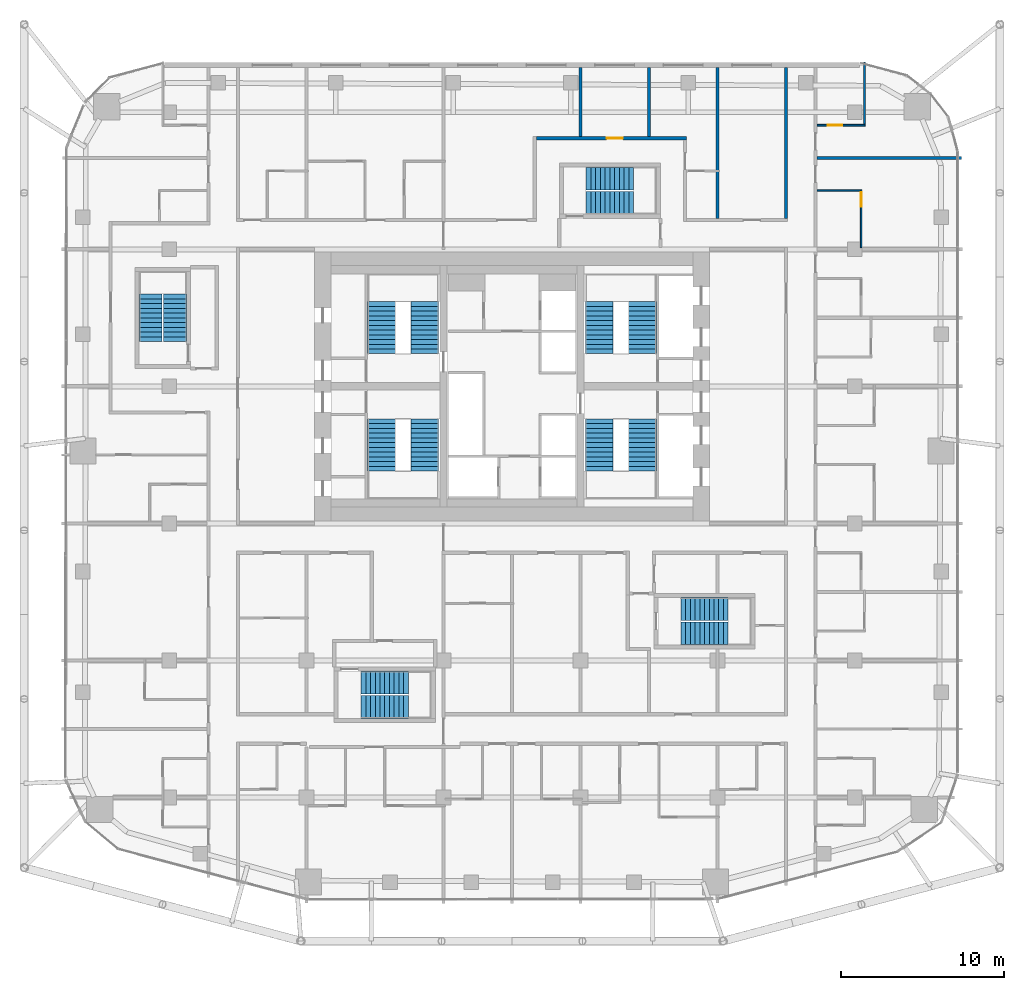
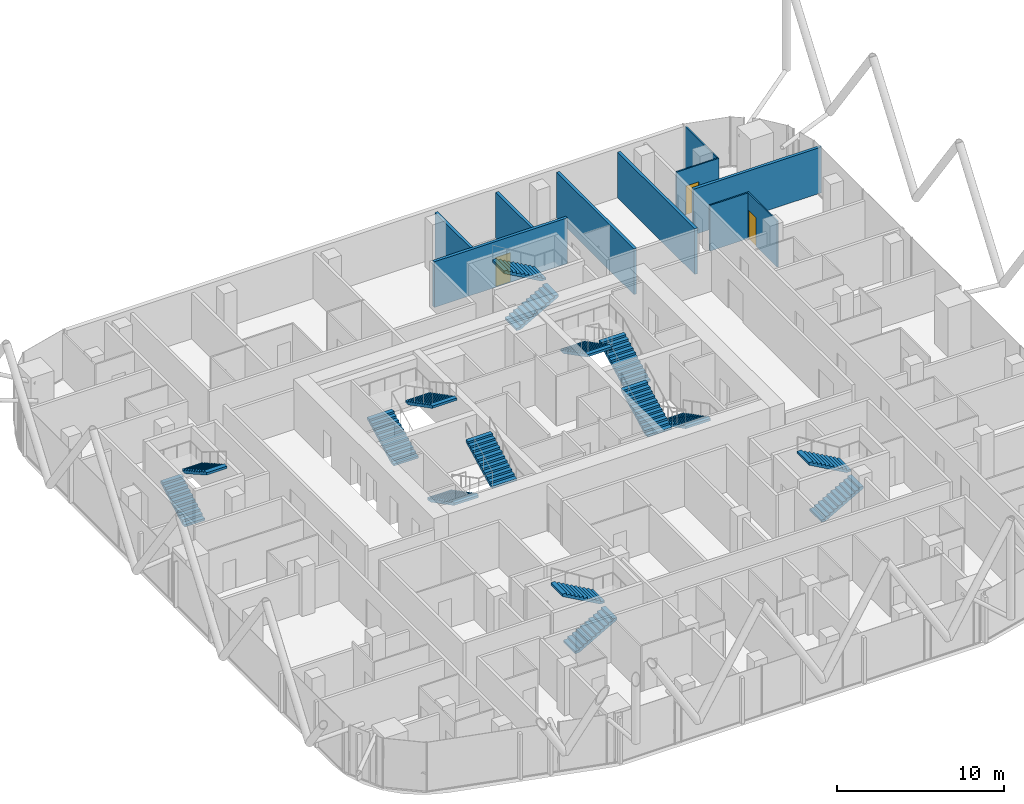
# One storey, part 34 of 36: 16 stair flights, 10 walls, 3 doors, 3 openings, 8 elements without a shape of their own.
"""IFC4 building model written with IfcOpenShell, lengths in metres."""

from ifc_helpers import new_model, si_unit, direction, frame, frame_2d, origin, place, context, subcontext, project, spatial, polyline, rectangle, outline, extrude, material, layer, layer_set, type_object, element, fill, aggregate, save


model = new_model("IFC4")

# Units and contexts
model_context = context("Model", 3, precision=1e-05, world=origin(), true_north=direction((0.0, 1.0)))
body_context = subcontext(model_context, "Body", "Model", "MODEL_VIEW")
ifc_project = project(units=[si_unit("LENGTHUNIT", "METRE"), si_unit("AREAUNIT", "SQUARE_METRE"), si_unit("VOLUMEUNIT", "CUBIC_METRE"), si_unit("PLANEANGLEUNIT", "RADIAN"), si_unit("MASSUNIT", "GRAM", prefix="KILO")], contexts=[model_context])

# Site, building, storey
site_placement = place(None, origin())
site = spatial("IfcSite", under=ifc_project, at=site_placement, CompositionType="ELEMENT")
building_placement = place(site_placement, origin())
building = spatial("IfcBuilding", under=site, at=building_placement, Name="Marenta Gate Hotel Tower", CompositionType="ELEMENT")
storey_placement = place(building_placement, frame((0.0, 0.0, 130.10009765625)))
storey = spatial("IfcBuildingStorey", under=building, at=storey_placement, Name="L29", CompositionType="ELEMENT", Elevation=130.10009765625)

# Wall, opening, door
ifc_material_1 = material(Name="Concrete blockwork", Category="masonry")
ifc_layer_1 = layer(ifc_material_1, 0.199951171875)
ifc_layer_set_1 = layer_set([ifc_layer_1], Name="Concrete blockwork")
wall_type_1 = type_object("IfcWallType", Name="Room corridor wall 200 EI 120", PredefinedType="PARTITIONING", material=ifc_layer_set_1)
wall_1_placement = place(storey_placement, frame((1.5, 23.60009765625, 0.0), z_axis=(0.0, 0.0, 1.0), x_axis=(1.0, 0.0, 0.0)))
wall_1 = element("IfcWall", 1, at=wall_1_placement, inside=storey, type_object=wall_type_1, Name="L29-PTN-W128", PredefinedType="PARTITIONING", context=body_context, shape_type="SweptSolid", body=[
    extrude(rectangle(XDim=9.199951171875, YDim=0.199951171875, at=frame_2d((4.60009765625, 0.0))), origin(), (0.0, 0.0, 1.0), 3.33984375),
])
opening_1_placement = place(wall_1_placement, frame((4.300048828125, 0.0, 0.0)))
opening_1 = element("IfcOpeningElement", 2, at=opening_1_placement, cuts=wall_1, Name="Opening G10-36", PredefinedType="OPENING", context=body_context, shape_type="SweptSolid", body=[
    extrude(rectangle(XDim=1.0, YDim=2.10009765625, at=frame_2d((0.5, 1.050048828125))), frame((0.0, 0.10009765625, 0.0), z_axis=(0.0, -1.0, 0.0), x_axis=(1.0, 0.0, 0.0)), (0.0, 0.0, 1.0), 0.199951171875),
])
ifc_material_2 = material(Name="Hollow steel door set", Category="steel")
door_type_1 = type_object("IfcDoorType", Name="Room service door 1000x2100 EI 60", OperationType="NOTDEFINED", PredefinedType="DOOR", material=ifc_material_2)
door_1_placement = place(opening_1_placement, origin())
door_1 = element("IfcDoor", 3, at=door_1_placement, inside=storey, type_object=door_type_1, Name="L29-PD-D036", OperationType="SINGLE_SWING_LEFT", OverallHeight=2.10009765625, OverallWidth=1.0, PredefinedType="DOOR", context=body_context, shape_type="SweptSolid", body=[
    extrude(rectangle(XDim=1.0, YDim=2.10009765625, at=frame_2d((0.5, 1.050048828125))), frame((0.0, 0.02490234375, 0.0), z_axis=(0.0, -1.0, 0.0), x_axis=(1.0, 0.0, 0.0)), (0.0, 0.0, 1.0), 0.050048828125),
])
fill(opening_1, door_1)

# Walls
ifc_material_3 = material(Name="Gypsum board on steel stud", Category="steel")
ifc_layer_2 = layer(ifc_material_3, 0.199951171875)
ifc_layer_set_2 = layer_set([ifc_layer_2], Name="Gypsum board on steel stud")
wall_type_2 = type_object("IfcWallType", Name="Room corridor wall 200 EI 60", PredefinedType="PARTITIONING", material=ifc_layer_set_2)
wall_2_placement = place(storey_placement, frame((16.800048828125, 18.699951171875, 0.0), z_axis=(0.0, 0.0, 1.0), x_axis=(0.0, 1.0, 0.0)))
element("IfcWall", 4, at=wall_2_placement, inside=storey, type_object=wall_type_2, Name="L29-PTN-W022", PredefinedType="PARTITIONING", context=body_context, shape_type="SweptSolid", body=[
    extrude(rectangle(XDim=9.239990234375, YDim=0.199951171875, at=frame_2d((4.6201171875, 0.0))), origin(), (0.0, 0.0, 1.0), 3.33984375),
])
ifc_material_4 = material(Name="Gypsum board on steel stud", Category="steel")
ifc_layer_3 = layer(ifc_material_4, 0.10009765625)
ifc_layer_set_3 = layer_set([ifc_layer_3], Name="Gypsum board on steel stud")
wall_type_3 = type_object("IfcWallType", Name="Room partition 100", PredefinedType="PARTITIONING", material=ifc_layer_set_3)
wall_3_placement = place(storey_placement, frame((21.60009765625, 24.449951171875, 0.0), z_axis=(0.0, 0.0, 1.0), x_axis=(0.0, 1.0, 0.0)))
element("IfcWall", 5, at=wall_3_placement, inside=storey, type_object=wall_type_3, Name="L29-PTN-W007", PredefinedType="PARTITIONING", context=body_context, shape_type="SweptSolid", body=[
    extrude(rectangle(XDim=3.81103515625, YDim=0.10009765625, at=frame_2d((1.905517578125, 0.0))), origin(), (0.0, 0.0, 1.0), 3.33984375),
])

# Wall, opening, door
wall_4_placement = place(storey_placement, frame((21.39990234375, 16.89990234375, 0.0), z_axis=(0.0, 0.0, 1.0), x_axis=(0.0, 1.0, 0.0)))
wall_4 = element("IfcWall", 6, at=wall_4_placement, inside=storey, type_object=wall_type_3, Name="L29-PTN-W010", PredefinedType="PARTITIONING", context=body_context, shape_type="SweptSolid", body=[
    extrude(rectangle(XDim=3.550048828125, YDim=0.10009765625, at=frame_2d((1.77490234375, 0.0))), origin(), (0.0, 0.0, 1.0), 3.33984375),
])
opening_2_placement = place(wall_4_placement, frame((2.5, 0.0, 0.0)))
opening_2 = element("IfcOpeningElement", 7, at=opening_2_placement, cuts=wall_4, Name="Opening G10-27", PredefinedType="OPENING", context=body_context, shape_type="SweptSolid", body=[
    extrude(rectangle(XDim=0.89990234375, YDim=2.10009765625, at=frame_2d((0.449951171875, 1.050048828125))), frame((0.0, 0.050048828125, 0.0), z_axis=(0.0, -1.0, 0.0), x_axis=(1.0, 0.0, 0.0)), (0.0, 0.0, 1.0), 0.10009765625),
])
ifc_material_5 = material(Name="Timber door leaf", Category="wood")
door_type_2 = type_object("IfcDoorType", Name="Guest bathroom door 900x2100", OperationType="NOTDEFINED", PredefinedType="DOOR", material=ifc_material_5)
door_2_placement = place(opening_2_placement, origin())
door_2 = element("IfcDoor", 8, at=door_2_placement, inside=storey, type_object=door_type_2, Name="L29-PD-D027", OperationType="SINGLE_SWING_RIGHT", OverallHeight=2.10009765625, OverallWidth=0.89990234375, PredefinedType="DOOR", context=body_context, shape_type="SweptSolid", body=[
    extrude(rectangle(XDim=0.89990234375, YDim=2.10009765625, at=frame_2d((0.449951171875, 1.050048828125))), frame((0.0, 0.02490234375, 0.0), z_axis=(0.0, -1.0, 0.0), x_axis=(1.0, 0.0, 0.0)), (0.0, 0.0, 1.0), 0.050048828125),
])
fill(opening_2, door_2)

# Wall
wall_5_placement = place(storey_placement, frame((18.699951171875, 20.39990234375, 0.0), z_axis=(0.0, 0.0, 1.0), x_axis=(1.0, 0.0, 0.0)))
element("IfcWall", 9, at=wall_5_placement, inside=storey, type_object=wall_type_3, Name="L29-PTN-W116", PredefinedType="PARTITIONING", context=body_context, shape_type="SweptSolid", body=[
    extrude(rectangle(XDim=2.650146484375, YDim=0.10009765625, at=frame_2d((1.3251953125, 0.0))), origin(), (0.0, 0.0, 1.0), 3.33984375),
])

# Wall, opening, door
wall_6_placement = place(storey_placement, frame((18.699951171875, 24.39990234375, 0.0), z_axis=(0.0, 0.0, 1.0), x_axis=(1.0, 0.0, 0.0)))
wall_6 = element("IfcWall", 10, at=wall_6_placement, inside=storey, type_object=wall_type_3, Name="L29-PTN-W130", PredefinedType="PARTITIONING", context=body_context, shape_type="SweptSolid", body=[
    extrude(rectangle(XDim=2.949951171875, YDim=0.10009765625, at=frame_2d((1.47509765625, 0.0))), origin(), (0.0, 0.0, 1.0), 3.33984375),
])
opening_3_placement = place(wall_6_placement, frame((0.64990234375, 0.0, 0.0)))
opening_3 = element("IfcOpeningElement", 11, at=opening_3_placement, cuts=wall_6, Name="Opening G10-29", PredefinedType="OPENING", context=body_context, shape_type="SweptSolid", body=[
    extrude(rectangle(XDim=0.89990234375, YDim=2.10009765625, at=frame_2d((0.449951171875, 1.050048828125))), frame((0.0, 0.050048828125, 0.0), z_axis=(0.0, -1.0, 0.0), x_axis=(1.0, 0.0, 0.0)), (0.0, 0.0, 1.0), 0.10009765625),
])
door_3_placement = place(opening_3_placement, origin())
door_3 = element("IfcDoor", 12, at=door_3_placement, inside=storey, type_object=door_type_2, Name="L29-PD-D029", OperationType="SINGLE_SWING_RIGHT", OverallHeight=2.10009765625, OverallWidth=0.89990234375, PredefinedType="DOOR", context=body_context, shape_type="SweptSolid", body=[
    extrude(rectangle(XDim=0.89990234375, YDim=2.10009765625, at=frame_2d((0.449951171875, 1.050048828125))), frame((0.0, 0.02490234375, 0.0), z_axis=(0.0, -1.0, 0.0), x_axis=(1.0, 0.0, 0.0)), (0.0, 0.0, 1.0), 0.050048828125),
])
fill(opening_3, door_3)

# Walls
ifc_material_6 = material(Name="Concrete blockwork", Category="masonry")
ifc_layer_4 = layer(ifc_material_6, 0.199951171875)
ifc_layer_set_4 = layer_set([ifc_layer_4], Name="Concrete blockwork")
wall_type_4 = type_object("IfcWallType", Name="Room party wall 200 EI 120", PredefinedType="PARTITIONING", material=ifc_layer_set_4)
for number, where, z_axis, x_axis, name in (
    (13, (8.39990234375, 23.699951171875, 0.0), (0.0, 0.0, 1.0), (0.0, 1.0, 0.0), "L29-PTN-W047"),
    (14, (4.199951171875, 23.699951171875, 0.0), (0.0, 0.0, 1.0), (0.0, 1.0, 0.0), "L29-PTN-W063"),
):
    element("IfcWall", number, at=place(storey_placement, frame(where, z_axis=z_axis, x_axis=x_axis)), inside=storey, type_object=wall_type_4, Name=name, PredefinedType="PARTITIONING", context=body_context, shape_type="SweptSolid", body=[
        extrude(rectangle(XDim=4.239990234375, YDim=0.199951171875, at=frame_2d((2.1201171875, 0.0))), origin(), (0.0, 0.0, 1.0), 3.33984375),
    ])
ifc_material_7 = material(Name="Gypsum board on steel stud", Category="steel")
ifc_layer_5 = layer(ifc_material_7, 0.199951171875)
ifc_layer_set_5 = layer_set([ifc_layer_5], Name="Gypsum board on steel stud")
wall_type_5 = type_object("IfcWallType", Name="Room party wall 200 EI 60", PredefinedType="PARTITIONING", material=ifc_layer_set_5)
wall_7_placement = place(storey_placement, frame((12.60009765625, 18.699951171875, 0.0), z_axis=(0.0, 0.0, 1.0), x_axis=(0.0, 1.0, 0.0)))
element("IfcWall", 15, at=wall_7_placement, inside=storey, type_object=wall_type_5, Name="L29-PTN-W036", PredefinedType="PARTITIONING", context=body_context, shape_type="SweptSolid", body=[
    extrude(rectangle(XDim=9.239990234375, YDim=0.199951171875, at=frame_2d((4.6201171875, 0.0))), origin(), (0.0, 0.0, 1.0), 3.33984375),
])
wall_8_placement = place(storey_placement, frame((18.699951171875, 22.39990234375, 0.0), z_axis=(0.0, 0.0, 1.0), x_axis=(1.0, 0.0, 0.0)))
element("IfcWall", 16, at=wall_8_placement, inside=storey, type_object=wall_type_5, Name="L29-PTN-W126", PredefinedType="PARTITIONING", context=body_context, shape_type="SweptSolid", body=[
    extrude(rectangle(XDim=8.84716796875, YDim=0.199951171875, at=frame_2d((4.423583984375, 0.0))), origin(), (0.0, 0.0, 1.0), 3.33984375),
])

# Stair, stair flights
ifc_material_8 = material(Name="Concrete C40", Category="concrete")
stair_type_1 = type_object("IfcStairType", Name="Core exit stair 1700 wide", PredefinedType="HALF_TURN_STAIR", material=ifc_material_8)
stair_1_placement = place(storey_placement, origin())
stair_1 = element("IfcStair", 17, at=stair_1_placement, inside=storey, type_object=stair_type_1, Name="Exit stair 1", PredefinedType="HALF_TURN_STAIR")
ifc_material_9 = material(Name="Concrete C40", Category="concrete")
stair_flight_type_1 = type_object("IfcStairFlightType", Name="Core stair flight 1700 riser 150.0 going 290", PredefinedType="STRAIGHT", material=ifc_material_9)
stair_flight_1_placement = place(storey_placement, frame((-8.0, 6.39990234375, 0.0), z_axis=(0.0, 0.0, 1.0), x_axis=(0.0, -1.0, 0.0)))
stair_flight_1 = element("IfcStairFlight", 18, at=stair_flight_1_placement, type_object=stair_flight_type_1, Name="ST1 flight 1", NumberOfRisers=12, NumberOfTreads=11, PredefinedType="STRAIGHT", RiserHeight=0.15, TreadLength=0.29, context=body_context, shape_type="SweptSolid", body=[
    extrude(outline(polyline([(0.0, 0.0), (0.0, 0.14990234375), (0.2900390625, 0.14990234375), (0.2900390625, 0.300048828125), (0.580078125, 0.300048828125), (0.580078125, 0.449951171875), (0.8701171875, 0.449951171875), (0.8701171875, 0.60009765625), (1.159912109375, 0.60009765625), (1.159912109375, 0.75), (1.449951171875, 0.75), (1.449951171875, 0.89990234375), (1.739990234375, 0.89990234375), (1.739990234375, 1.050048828125), (2.030029296875, 1.050048828125), (2.030029296875, 1.199951171875), (2.320068359375, 1.199951171875), (2.320068359375, 1.35009765625), (2.610107421875, 1.35009765625), (2.610107421875, 1.5), (2.89990234375, 1.5), (2.89990234375, 1.64990234375), (3.18994140625, 1.64990234375), (3.18994140625, 1.800048828125), (3.18994140625, 1.481201171875), (0.326171875, 0.0), (0.0, 0.0)])), frame((0.0, 0.85009765625, 0.0), z_axis=(0.0, -1.0, 0.0), x_axis=(1.0, 0.0, 0.0)), (0.0, 0.0, 1.0), 1.699951171875),
])
stair_flight_2_placement = place(storey_placement, frame((-5.35009765625, 3.2099609375, 1.7998046875), z_axis=(0.0, 0.0, 1.0), x_axis=(0.0, 1.0, 0.0)))
stair_flight_2 = element("IfcStairFlight", 19, at=stair_flight_2_placement, type_object=stair_flight_type_1, Name="ST1 flight 2", NumberOfRisers=12, NumberOfTreads=11, PredefinedType="STRAIGHT", RiserHeight=0.15, TreadLength=0.29, context=body_context, shape_type="SweptSolid", body=[
    extrude(outline(polyline([(0.0, 0.0), (0.0, 0.14990234375), (0.2900390625, 0.14990234375), (0.2900390625, 0.300048828125), (0.580078125, 0.300048828125), (0.580078125, 0.449951171875), (0.8701171875, 0.449951171875), (0.8701171875, 0.60009765625), (1.159912109375, 0.60009765625), (1.159912109375, 0.75), (1.449951171875, 0.75), (1.449951171875, 0.89990234375), (1.739990234375, 0.89990234375), (1.739990234375, 1.050048828125), (2.030029296875, 1.050048828125), (2.030029296875, 1.199951171875), (2.320068359375, 1.199951171875), (2.320068359375, 1.35009765625), (2.610107421875, 1.35009765625), (2.610107421875, 1.5), (2.89990234375, 1.5), (2.89990234375, 1.64990234375), (3.18994140625, 1.64990234375), (3.18994140625, 1.800048828125), (3.18994140625, 1.481201171875), (0.326171875, 0.0), (0.0, 0.0)])), frame((0.0, 0.85009765625, 0.0), z_axis=(0.0, -1.0, 0.0), x_axis=(1.0, 0.0, 0.0)), (0.0, 0.0, 1.0), 1.699951171875),
])
aggregate(stair_1, [stair_flight_1, stair_flight_2])

stair_2_placement = place(storey_placement, origin())
stair_2 = element("IfcStair", 20, at=stair_2_placement, inside=storey, type_object=stair_type_1, Name="Exit stair 2", PredefinedType="HALF_TURN_STAIR")
stair_flight_3_placement = place(storey_placement, frame((-8.0, 10.39990234375, 0.0), z_axis=(0.0, 0.0, 1.0), x_axis=(0.0, 1.0, 0.0)))
stair_flight_3 = element("IfcStairFlight", 21, at=stair_flight_3_placement, type_object=stair_flight_type_1, Name="ST2 flight 1", NumberOfRisers=12, NumberOfTreads=11, PredefinedType="STRAIGHT", RiserHeight=0.15, TreadLength=0.29, context=body_context, shape_type="SweptSolid", body=[
    extrude(outline(polyline([(0.0, 0.0), (0.0, 0.14990234375), (0.2900390625, 0.14990234375), (0.2900390625, 0.300048828125), (0.580078125, 0.300048828125), (0.580078125, 0.449951171875), (0.8701171875, 0.449951171875), (0.8701171875, 0.60009765625), (1.159912109375, 0.60009765625), (1.159912109375, 0.75), (1.449951171875, 0.75), (1.449951171875, 0.89990234375), (1.739990234375, 0.89990234375), (1.739990234375, 1.050048828125), (2.030029296875, 1.050048828125), (2.030029296875, 1.199951171875), (2.320068359375, 1.199951171875), (2.320068359375, 1.35009765625), (2.610107421875, 1.35009765625), (2.610107421875, 1.5), (2.89990234375, 1.5), (2.89990234375, 1.64990234375), (3.18994140625, 1.64990234375), (3.18994140625, 1.800048828125), (3.18994140625, 1.481201171875), (0.326171875, 0.0), (0.0, 0.0)])), frame((0.0, 0.85009765625, 0.0), z_axis=(0.0, -1.0, 0.0), x_axis=(1.0, 0.0, 0.0)), (0.0, 0.0, 1.0), 1.699951171875),
])
stair_flight_4_placement = place(storey_placement, frame((-5.35009765625, 13.590087890625, 1.7998046875), z_axis=(0.0, 0.0, 1.0), x_axis=(0.0, -1.0, 0.0)))
stair_flight_4 = element("IfcStairFlight", 22, at=stair_flight_4_placement, type_object=stair_flight_type_1, Name="ST2 flight 2", NumberOfRisers=12, NumberOfTreads=11, PredefinedType="STRAIGHT", RiserHeight=0.15, TreadLength=0.29, context=body_context, shape_type="SweptSolid", body=[
    extrude(outline(polyline([(0.0, 0.0), (0.0, 0.14990234375), (0.2900390625, 0.14990234375), (0.2900390625, 0.300048828125), (0.580078125, 0.300048828125), (0.580078125, 0.449951171875), (0.8701171875, 0.449951171875), (0.8701171875, 0.60009765625), (1.159912109375, 0.60009765625), (1.159912109375, 0.75), (1.449951171875, 0.75), (1.449951171875, 0.89990234375), (1.739990234375, 0.89990234375), (1.739990234375, 1.050048828125), (2.030029296875, 1.050048828125), (2.030029296875, 1.199951171875), (2.320068359375, 1.199951171875), (2.320068359375, 1.35009765625), (2.610107421875, 1.35009765625), (2.610107421875, 1.5), (2.89990234375, 1.5), (2.89990234375, 1.64990234375), (3.18994140625, 1.64990234375), (3.18994140625, 1.800048828125), (3.18994140625, 1.481201171875), (0.326171875, 0.0), (0.0, 0.0)])), frame((0.0, 0.85009765625, 0.0), z_axis=(0.0, -1.0, 0.0), x_axis=(1.0, 0.0, 0.0)), (0.0, 0.0, 1.0), 1.699951171875),
])
aggregate(stair_2, [stair_flight_3, stair_flight_4])

stair_3_placement = place(storey_placement, origin())
stair_3 = element("IfcStair", 23, at=stair_3_placement, inside=storey, type_object=stair_type_1, Name="Exit stair 3", PredefinedType="HALF_TURN_STAIR")
stair_flight_5_placement = place(storey_placement, frame((8.0, 6.39990234375, 0.0), z_axis=(0.0, 0.0, 1.0), x_axis=(0.0, -1.0, 0.0)))
stair_flight_5 = element("IfcStairFlight", 24, at=stair_flight_5_placement, type_object=stair_flight_type_1, Name="ST3 flight 1", NumberOfRisers=12, NumberOfTreads=11, PredefinedType="STRAIGHT", RiserHeight=0.15, TreadLength=0.29, context=body_context, shape_type="SweptSolid", body=[
    extrude(outline(polyline([(0.0, 0.0), (0.0, 0.14990234375), (0.2900390625, 0.14990234375), (0.2900390625, 0.300048828125), (0.580078125, 0.300048828125), (0.580078125, 0.449951171875), (0.8701171875, 0.449951171875), (0.8701171875, 0.60009765625), (1.159912109375, 0.60009765625), (1.159912109375, 0.75), (1.449951171875, 0.75), (1.449951171875, 0.89990234375), (1.739990234375, 0.89990234375), (1.739990234375, 1.050048828125), (2.030029296875, 1.050048828125), (2.030029296875, 1.199951171875), (2.320068359375, 1.199951171875), (2.320068359375, 1.35009765625), (2.610107421875, 1.35009765625), (2.610107421875, 1.5), (2.89990234375, 1.5), (2.89990234375, 1.64990234375), (3.18994140625, 1.64990234375), (3.18994140625, 1.800048828125), (3.18994140625, 1.481201171875), (0.326171875, 0.0), (0.0, 0.0)])), frame((0.0, 0.85009765625, 0.0), z_axis=(0.0, -1.0, 0.0), x_axis=(1.0, 0.0, 0.0)), (0.0, 0.0, 1.0), 1.699951171875),
])
stair_flight_6_placement = place(storey_placement, frame((5.35009765625, 3.2099609375, 1.7998046875), z_axis=(0.0, 0.0, 1.0), x_axis=(0.0, 1.0, 0.0)))
stair_flight_6 = element("IfcStairFlight", 25, at=stair_flight_6_placement, type_object=stair_flight_type_1, Name="ST3 flight 2", NumberOfRisers=12, NumberOfTreads=11, PredefinedType="STRAIGHT", RiserHeight=0.15, TreadLength=0.29, context=body_context, shape_type="SweptSolid", body=[
    extrude(outline(polyline([(0.0, 0.0), (0.0, 0.14990234375), (0.2900390625, 0.14990234375), (0.2900390625, 0.300048828125), (0.580078125, 0.300048828125), (0.580078125, 0.449951171875), (0.8701171875, 0.449951171875), (0.8701171875, 0.60009765625), (1.159912109375, 0.60009765625), (1.159912109375, 0.75), (1.449951171875, 0.75), (1.449951171875, 0.89990234375), (1.739990234375, 0.89990234375), (1.739990234375, 1.050048828125), (2.030029296875, 1.050048828125), (2.030029296875, 1.199951171875), (2.320068359375, 1.199951171875), (2.320068359375, 1.35009765625), (2.610107421875, 1.35009765625), (2.610107421875, 1.5), (2.89990234375, 1.5), (2.89990234375, 1.64990234375), (3.18994140625, 1.64990234375), (3.18994140625, 1.800048828125), (3.18994140625, 1.481201171875), (0.326171875, 0.0), (0.0, 0.0)])), frame((0.0, 0.85009765625, 0.0), z_axis=(0.0, -1.0, 0.0), x_axis=(1.0, 0.0, 0.0)), (0.0, 0.0, 1.0), 1.699951171875),
])
aggregate(stair_3, [stair_flight_5, stair_flight_6])

stair_4_placement = place(storey_placement, origin())
stair_4 = element("IfcStair", 26, at=stair_4_placement, inside=storey, type_object=stair_type_1, Name="Exit stair 4", PredefinedType="HALF_TURN_STAIR")
stair_flight_7_placement = place(storey_placement, frame((8.0, 10.39990234375, 0.0), z_axis=(0.0, 0.0, 1.0), x_axis=(0.0, 1.0, 0.0)))
stair_flight_7 = element("IfcStairFlight", 27, at=stair_flight_7_placement, type_object=stair_flight_type_1, Name="ST4 flight 1", NumberOfRisers=12, NumberOfTreads=11, PredefinedType="STRAIGHT", RiserHeight=0.15, TreadLength=0.29, context=body_context, shape_type="SweptSolid", body=[
    extrude(outline(polyline([(0.0, 0.0), (0.0, 0.14990234375), (0.2900390625, 0.14990234375), (0.2900390625, 0.300048828125), (0.580078125, 0.300048828125), (0.580078125, 0.449951171875), (0.8701171875, 0.449951171875), (0.8701171875, 0.60009765625), (1.159912109375, 0.60009765625), (1.159912109375, 0.75), (1.449951171875, 0.75), (1.449951171875, 0.89990234375), (1.739990234375, 0.89990234375), (1.739990234375, 1.050048828125), (2.030029296875, 1.050048828125), (2.030029296875, 1.199951171875), (2.320068359375, 1.199951171875), (2.320068359375, 1.35009765625), (2.610107421875, 1.35009765625), (2.610107421875, 1.5), (2.89990234375, 1.5), (2.89990234375, 1.64990234375), (3.18994140625, 1.64990234375), (3.18994140625, 1.800048828125), (3.18994140625, 1.481201171875), (0.326171875, 0.0), (0.0, 0.0)])), frame((0.0, 0.85009765625, 0.0), z_axis=(0.0, -1.0, 0.0), x_axis=(1.0, 0.0, 0.0)), (0.0, 0.0, 1.0), 1.699951171875),
])
stair_flight_8_placement = place(storey_placement, frame((5.35009765625, 13.590087890625, 1.7998046875), z_axis=(0.0, 0.0, 1.0), x_axis=(0.0, -1.0, 0.0)))
stair_flight_8 = element("IfcStairFlight", 28, at=stair_flight_8_placement, type_object=stair_flight_type_1, Name="ST4 flight 2", NumberOfRisers=12, NumberOfTreads=11, PredefinedType="STRAIGHT", RiserHeight=0.15, TreadLength=0.29, context=body_context, shape_type="SweptSolid", body=[
    extrude(outline(polyline([(0.0, 0.0), (0.0, 0.14990234375), (0.2900390625, 0.14990234375), (0.2900390625, 0.300048828125), (0.580078125, 0.300048828125), (0.580078125, 0.449951171875), (0.8701171875, 0.449951171875), (0.8701171875, 0.60009765625), (1.159912109375, 0.60009765625), (1.159912109375, 0.75), (1.449951171875, 0.75), (1.449951171875, 0.89990234375), (1.739990234375, 0.89990234375), (1.739990234375, 1.050048828125), (2.030029296875, 1.050048828125), (2.030029296875, 1.199951171875), (2.320068359375, 1.199951171875), (2.320068359375, 1.35009765625), (2.610107421875, 1.35009765625), (2.610107421875, 1.5), (2.89990234375, 1.5), (2.89990234375, 1.64990234375), (3.18994140625, 1.64990234375), (3.18994140625, 1.800048828125), (3.18994140625, 1.481201171875), (0.326171875, 0.0), (0.0, 0.0)])), frame((0.0, 0.85009765625, 0.0), z_axis=(0.0, -1.0, 0.0), x_axis=(1.0, 0.0, 0.0)), (0.0, 0.0, 1.0), 1.699951171875),
])
aggregate(stair_4, [stair_flight_7, stair_flight_8])

ifc_material_10 = material(Name="Concrete C40", Category="concrete")
stair_type_2 = type_object("IfcStairType", Name="Remote exit stair 1400 wide", PredefinedType="HALF_TURN_STAIR", material=ifc_material_10)
stair_5_placement = place(storey_placement, origin())
stair_5 = element("IfcStair", 29, at=stair_5_placement, inside=storey, type_object=stair_type_2, Name="Exit stair RS-Z1-3", PredefinedType="HALF_TURN_STAIR")
ifc_material_11 = material(Name="Concrete C40", Category="concrete")
stair_flight_type_2 = type_object("IfcStairFlightType", Name="Remote stair flight 1400 riser 163.6 going 290", PredefinedType="STRAIGHT", material=ifc_material_11)
stair_flight_9_placement = place(storey_placement, frame((-22.14990234375, 11.14990234375, 0.0), z_axis=(0.0, 0.0, 1.0), x_axis=(0.0, 1.0, 0.0)))
stair_flight_9 = element("IfcStairFlight", 30, at=stair_flight_9_placement, type_object=stair_flight_type_2, Name="RS-Z1-3 flight 1", NumberOfRisers=11, NumberOfTreads=10, PredefinedType="STRAIGHT", RiserHeight=0.163636, TreadLength=0.29, context=body_context, shape_type="SweptSolid", body=[
    extrude(outline(polyline([(0.0, 0.0), (0.0, 0.16357421875), (0.2900390625, 0.16357421875), (0.2900390625, 0.327392578125), (0.580078125, 0.327392578125), (0.580078125, 0.490966796875), (0.8701171875, 0.490966796875), (0.8701171875, 0.654541015625), (1.159912109375, 0.654541015625), (1.159912109375, 0.818115234375), (1.449951171875, 0.818115234375), (1.449951171875, 0.98193359375), (1.739990234375, 0.98193359375), (1.739990234375, 1.1455078125), (2.030029296875, 1.1455078125), (2.030029296875, 1.30908203125), (2.320068359375, 1.30908203125), (2.320068359375, 1.47265625), (2.610107421875, 1.47265625), (2.610107421875, 1.636474609375), (2.89990234375, 1.636474609375), (2.89990234375, 1.800048828125), (2.89990234375, 1.46435546875), (0.304931640625, 0.0), (0.0, 0.0)])), frame((0.0, 0.699951171875, 0.0), z_axis=(0.0, -1.0, 0.0), x_axis=(1.0, 0.0, 0.0)), (0.0, 0.0, 1.0), 1.39990234375),
])
stair_flight_10_placement = place(storey_placement, frame((-20.64990234375, 14.050048828125, 1.7998046875), z_axis=(0.0, 0.0, 1.0), x_axis=(0.0, -1.0, 0.0)))
stair_flight_10 = element("IfcStairFlight", 31, at=stair_flight_10_placement, type_object=stair_flight_type_2, Name="RS-Z1-3 flight 2", NumberOfRisers=11, NumberOfTreads=10, PredefinedType="STRAIGHT", RiserHeight=0.163636, TreadLength=0.29, context=body_context, shape_type="SweptSolid", body=[
    extrude(outline(polyline([(0.0, 0.0), (0.0, 0.16357421875), (0.2900390625, 0.16357421875), (0.2900390625, 0.327392578125), (0.580078125, 0.327392578125), (0.580078125, 0.490966796875), (0.8701171875, 0.490966796875), (0.8701171875, 0.654541015625), (1.159912109375, 0.654541015625), (1.159912109375, 0.818115234375), (1.449951171875, 0.818115234375), (1.449951171875, 0.98193359375), (1.739990234375, 0.98193359375), (1.739990234375, 1.1455078125), (2.030029296875, 1.1455078125), (2.030029296875, 1.30908203125), (2.320068359375, 1.30908203125), (2.320068359375, 1.47265625), (2.610107421875, 1.47265625), (2.610107421875, 1.636474609375), (2.89990234375, 1.636474609375), (2.89990234375, 1.800048828125), (2.89990234375, 1.46435546875), (0.304931640625, 0.0), (0.0, 0.0)])), frame((0.0, 0.699951171875, 0.0), z_axis=(0.0, -1.0, 0.0), x_axis=(1.0, 0.0, 0.0)), (0.0, 0.0, 1.0), 1.39990234375),
])
aggregate(stair_5, [stair_flight_9, stair_flight_10])

stair_6_placement = place(storey_placement, origin())
stair_6 = element("IfcStair", 32, at=stair_6_placement, inside=storey, type_object=stair_type_2, Name="Exit stair RS-Z2-1", PredefinedType="HALF_TURN_STAIR")
stair_flight_11_placement = place(storey_placement, frame((-9.25, -11.25, 0.0), z_axis=(0.0, 0.0, 1.0), x_axis=(1.0, 0.0, 0.0)))
stair_flight_11 = element("IfcStairFlight", 33, at=stair_flight_11_placement, type_object=stair_flight_type_2, Name="RS-Z2-1 flight 1", NumberOfRisers=11, NumberOfTreads=10, PredefinedType="STRAIGHT", RiserHeight=0.163636, TreadLength=0.29, context=body_context, shape_type="SweptSolid", body=[
    extrude(outline(polyline([(0.0, 0.0), (0.0, 0.16357421875), (0.2900390625, 0.16357421875), (0.2900390625, 0.327392578125), (0.580078125, 0.327392578125), (0.580078125, 0.490966796875), (0.8701171875, 0.490966796875), (0.8701171875, 0.654541015625), (1.159912109375, 0.654541015625), (1.159912109375, 0.818115234375), (1.449951171875, 0.818115234375), (1.449951171875, 0.98193359375), (1.739990234375, 0.98193359375), (1.739990234375, 1.1455078125), (2.030029296875, 1.1455078125), (2.030029296875, 1.30908203125), (2.320068359375, 1.30908203125), (2.320068359375, 1.47265625), (2.610107421875, 1.47265625), (2.610107421875, 1.636474609375), (2.89990234375, 1.636474609375), (2.89990234375, 1.800048828125), (2.89990234375, 1.46435546875), (0.304931640625, 0.0), (0.0, 0.0)])), frame((0.0, 0.699951171875, 0.0), z_axis=(0.0, -1.0, 0.0), x_axis=(1.0, 0.0, 0.0)), (0.0, 0.0, 1.0), 1.39990234375),
])
stair_flight_12_placement = place(storey_placement, frame((-6.35009765625, -9.75, 1.7998046875), z_axis=(0.0, 0.0, 1.0), x_axis=(-1.0, 0.0, 0.0)))
stair_flight_12 = element("IfcStairFlight", 34, at=stair_flight_12_placement, type_object=stair_flight_type_2, Name="RS-Z2-1 flight 2", NumberOfRisers=11, NumberOfTreads=10, PredefinedType="STRAIGHT", RiserHeight=0.163636, TreadLength=0.29, context=body_context, shape_type="SweptSolid", body=[
    extrude(outline(polyline([(0.0, 0.0), (0.0, 0.16357421875), (0.2900390625, 0.16357421875), (0.2900390625, 0.327392578125), (0.580078125, 0.327392578125), (0.580078125, 0.490966796875), (0.8701171875, 0.490966796875), (0.8701171875, 0.654541015625), (1.159912109375, 0.654541015625), (1.159912109375, 0.818115234375), (1.449951171875, 0.818115234375), (1.449951171875, 0.98193359375), (1.739990234375, 0.98193359375), (1.739990234375, 1.1455078125), (2.030029296875, 1.1455078125), (2.030029296875, 1.30908203125), (2.320068359375, 1.30908203125), (2.320068359375, 1.47265625), (2.610107421875, 1.47265625), (2.610107421875, 1.636474609375), (2.89990234375, 1.636474609375), (2.89990234375, 1.800048828125), (2.89990234375, 1.46435546875), (0.304931640625, 0.0), (0.0, 0.0)])), frame((0.0, 0.699951171875, 0.0), z_axis=(0.0, -1.0, 0.0), x_axis=(1.0, 0.0, 0.0)), (0.0, 0.0, 1.0), 1.39990234375),
])
aggregate(stair_6, [stair_flight_11, stair_flight_12])

stair_7_placement = place(storey_placement, origin())
stair_7 = element("IfcStair", 35, at=stair_7_placement, inside=storey, type_object=stair_type_2, Name="Exit stair RS-Z2-2", PredefinedType="HALF_TURN_STAIR")
stair_flight_13_placement = place(storey_placement, frame((10.35009765625, -6.75, 0.0), z_axis=(0.0, 0.0, 1.0), x_axis=(1.0, 0.0, 0.0)))
stair_flight_13 = element("IfcStairFlight", 36, at=stair_flight_13_placement, type_object=stair_flight_type_2, Name="RS-Z2-2 flight 1", NumberOfRisers=11, NumberOfTreads=10, PredefinedType="STRAIGHT", RiserHeight=0.163636, TreadLength=0.29, context=body_context, shape_type="SweptSolid", body=[
    extrude(outline(polyline([(0.0, 0.0), (0.0, 0.16357421875), (0.2900390625, 0.16357421875), (0.2900390625, 0.327392578125), (0.580078125, 0.327392578125), (0.580078125, 0.490966796875), (0.8701171875, 0.490966796875), (0.8701171875, 0.654541015625), (1.159912109375, 0.654541015625), (1.159912109375, 0.818115234375), (1.449951171875, 0.818115234375), (1.449951171875, 0.98193359375), (1.739990234375, 0.98193359375), (1.739990234375, 1.1455078125), (2.030029296875, 1.1455078125), (2.030029296875, 1.30908203125), (2.320068359375, 1.30908203125), (2.320068359375, 1.47265625), (2.610107421875, 1.47265625), (2.610107421875, 1.636474609375), (2.89990234375, 1.636474609375), (2.89990234375, 1.800048828125), (2.89990234375, 1.46435546875), (0.304931640625, 0.0), (0.0, 0.0)])), frame((0.0, 0.699951171875, 0.0), z_axis=(0.0, -1.0, 0.0), x_axis=(1.0, 0.0, 0.0)), (0.0, 0.0, 1.0), 1.39990234375),
])
stair_flight_14_placement = place(storey_placement, frame((13.25, -5.25, 1.7998046875), z_axis=(0.0, 0.0, 1.0), x_axis=(-1.0, 0.0, 0.0)))
stair_flight_14 = element("IfcStairFlight", 37, at=stair_flight_14_placement, type_object=stair_flight_type_2, Name="RS-Z2-2 flight 2", NumberOfRisers=11, NumberOfTreads=10, PredefinedType="STRAIGHT", RiserHeight=0.163636, TreadLength=0.29, context=body_context, shape_type="SweptSolid", body=[
    extrude(outline(polyline([(0.0, 0.0), (0.0, 0.16357421875), (0.2900390625, 0.16357421875), (0.2900390625, 0.327392578125), (0.580078125, 0.327392578125), (0.580078125, 0.490966796875), (0.8701171875, 0.490966796875), (0.8701171875, 0.654541015625), (1.159912109375, 0.654541015625), (1.159912109375, 0.818115234375), (1.449951171875, 0.818115234375), (1.449951171875, 0.98193359375), (1.739990234375, 0.98193359375), (1.739990234375, 1.1455078125), (2.030029296875, 1.1455078125), (2.030029296875, 1.30908203125), (2.320068359375, 1.30908203125), (2.320068359375, 1.47265625), (2.610107421875, 1.47265625), (2.610107421875, 1.636474609375), (2.89990234375, 1.636474609375), (2.89990234375, 1.800048828125), (2.89990234375, 1.46435546875), (0.304931640625, 0.0), (0.0, 0.0)])), frame((0.0, 0.699951171875, 0.0), z_axis=(0.0, -1.0, 0.0), x_axis=(1.0, 0.0, 0.0)), (0.0, 0.0, 1.0), 1.39990234375),
])
aggregate(stair_7, [stair_flight_13, stair_flight_14])

stair_8_placement = place(storey_placement, origin())
stair_8 = element("IfcStair", 38, at=stair_8_placement, inside=storey, type_object=stair_type_2, Name="Exit stair RS-Z2-4", PredefinedType="HALF_TURN_STAIR")
stair_flight_15_placement = place(storey_placement, frame((4.550048828125, 19.64990234375, 0.0), z_axis=(0.0, 0.0, 1.0), x_axis=(1.0, 0.0, 0.0)))
stair_flight_15 = element("IfcStairFlight", 39, at=stair_flight_15_placement, type_object=stair_flight_type_2, Name="RS-Z2-4 flight 1", NumberOfRisers=11, NumberOfTreads=10, PredefinedType="STRAIGHT", RiserHeight=0.163636, TreadLength=0.29, context=body_context, shape_type="SweptSolid", body=[
    extrude(outline(polyline([(0.0, 0.0), (0.0, 0.16357421875), (0.2900390625, 0.16357421875), (0.2900390625, 0.327392578125), (0.580078125, 0.327392578125), (0.580078125, 0.490966796875), (0.8701171875, 0.490966796875), (0.8701171875, 0.654541015625), (1.159912109375, 0.654541015625), (1.159912109375, 0.818115234375), (1.449951171875, 0.818115234375), (1.449951171875, 0.98193359375), (1.739990234375, 0.98193359375), (1.739990234375, 1.1455078125), (2.030029296875, 1.1455078125), (2.030029296875, 1.30908203125), (2.320068359375, 1.30908203125), (2.320068359375, 1.47265625), (2.610107421875, 1.47265625), (2.610107421875, 1.636474609375), (2.89990234375, 1.636474609375), (2.89990234375, 1.800048828125), (2.89990234375, 1.46435546875), (0.304931640625, 0.0), (0.0, 0.0)])), frame((0.0, 0.699951171875, 0.0), z_axis=(0.0, -1.0, 0.0), x_axis=(1.0, 0.0, 0.0)), (0.0, 0.0, 1.0), 1.39990234375),
])
stair_flight_16_placement = place(storey_placement, frame((7.449951171875, 21.14990234375, 1.7998046875), z_axis=(0.0, 0.0, 1.0), x_axis=(-1.0, 0.0, 0.0)))
stair_flight_16 = element("IfcStairFlight", 40, at=stair_flight_16_placement, type_object=stair_flight_type_2, Name="RS-Z2-4 flight 2", NumberOfRisers=11, NumberOfTreads=10, PredefinedType="STRAIGHT", RiserHeight=0.163636, TreadLength=0.29, context=body_context, shape_type="SweptSolid", body=[
    extrude(outline(polyline([(0.0, 0.0), (0.0, 0.16357421875), (0.2900390625, 0.16357421875), (0.2900390625, 0.327392578125), (0.580078125, 0.327392578125), (0.580078125, 0.490966796875), (0.8701171875, 0.490966796875), (0.8701171875, 0.654541015625), (1.159912109375, 0.654541015625), (1.159912109375, 0.818115234375), (1.449951171875, 0.818115234375), (1.449951171875, 0.98193359375), (1.739990234375, 0.98193359375), (1.739990234375, 1.1455078125), (2.030029296875, 1.1455078125), (2.030029296875, 1.30908203125), (2.320068359375, 1.30908203125), (2.320068359375, 1.47265625), (2.610107421875, 1.47265625), (2.610107421875, 1.636474609375), (2.89990234375, 1.636474609375), (2.89990234375, 1.800048828125), (2.89990234375, 1.46435546875), (0.304931640625, 0.0), (0.0, 0.0)])), frame((0.0, 0.699951171875, 0.0), z_axis=(0.0, -1.0, 0.0), x_axis=(1.0, 0.0, 0.0)), (0.0, 0.0, 1.0), 1.39990234375),
])
aggregate(stair_8, [stair_flight_15, stair_flight_16])

save(model, "model.ifc")
